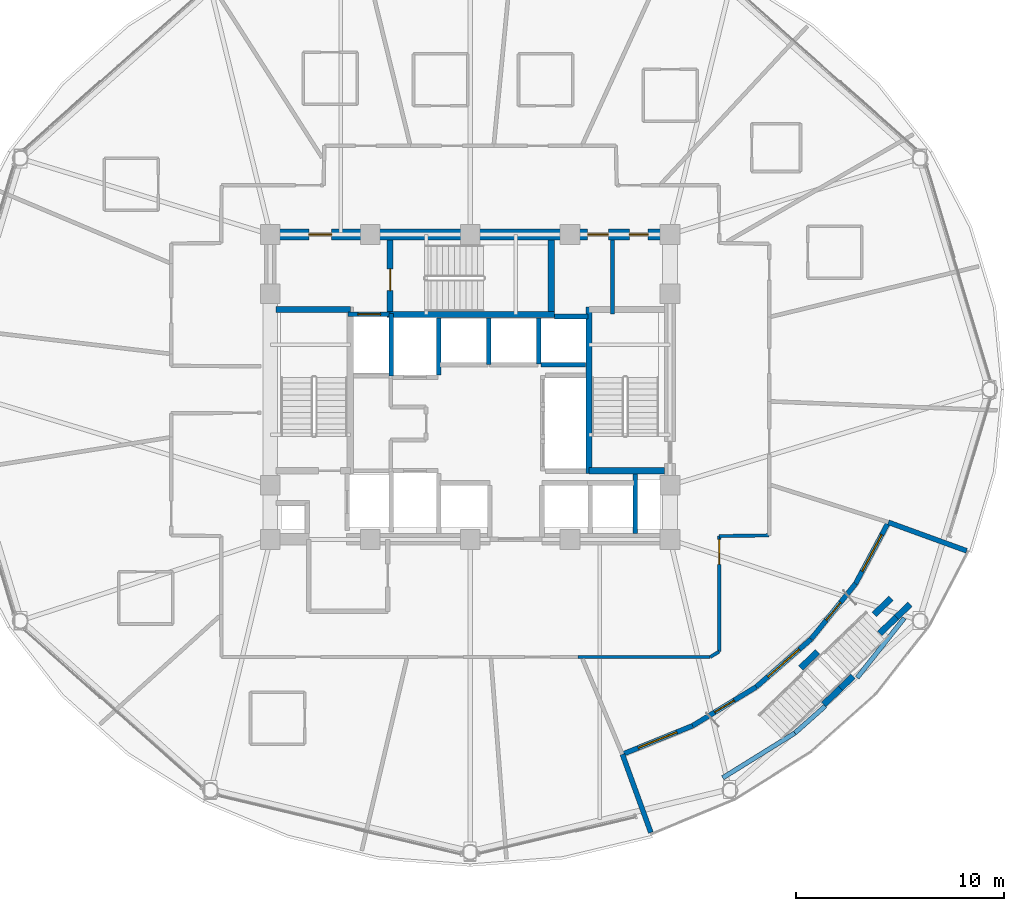
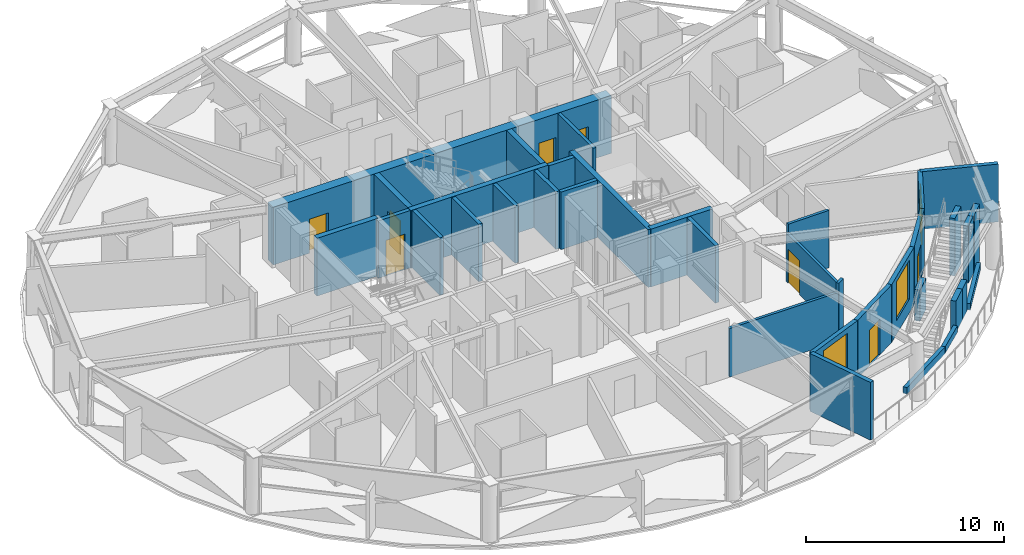
# One storey, part 12 of 18: 36 walls, 8 doors, 3 windows, 11 openings.
"""IFC4 building model written with IfcOpenShell, lengths in metres."""

from ifc_helpers import new_model, si_unit, direction, frame, frame_2d, origin, place, context, subcontext, project, spatial, rectangle, extrude, material, layer, layer_set, type_object, element, fill, save


model = new_model("IFC4")

# Units and contexts
model_context = context("Model", 3, precision=1e-05, world=origin(), true_north=direction((0.0, 1.0)))
body_context = subcontext(model_context, "Body", "Model", "MODEL_VIEW")
ifc_project = project(units=[si_unit("LENGTHUNIT", "METRE"), si_unit("AREAUNIT", "SQUARE_METRE"), si_unit("VOLUMEUNIT", "CUBIC_METRE"), si_unit("PLANEANGLEUNIT", "RADIAN"), si_unit("MASSUNIT", "GRAM", prefix="KILO")], contexts=[model_context])

# Site, building, storey
site_placement = place(None, origin())
site = spatial("IfcSite", under=ifc_project, at=site_placement, CompositionType="ELEMENT")
building_placement = place(site_placement, origin())
building = spatial("IfcBuilding", under=site, at=building_placement, Name="Vantalir Tower", CompositionType="ELEMENT")
storey_placement = place(building_placement, frame((0.0, 0.0, 138.449951171875)))
storey = spatial("IfcBuildingStorey", under=building, at=storey_placement, Name="L34", CompositionType="ELEMENT", Elevation=138.449951171875)

# Wall, openings, doors
ifc_material_1 = material(Name="Concrete C60/75", Category="concrete")
ifc_layer_1 = layer(ifc_material_1, 0.550048828125)
ifc_layer_set_1 = layer_set([ifc_layer_1], Name="Concrete C60/75")
wall_type_1 = type_object("IfcWallType", Name="WL-CORE-550", PredefinedType="SHEAR", material=ifc_layer_set_1)
wall_1_placement = place(storey_placement, frame((21.625, 32.449951171875, 0.0), z_axis=(0.0, 0.0, 1.0), x_axis=(1.0, 0.0, 0.0)))
wall_1 = element("IfcWall", 1, at=wall_1_placement, inside=storey, type_object=wall_type_1, Name="L34 Core Shear Wall North", PredefinedType="SHEAR", context=body_context, shape_type="SweptSolid", body=[
    extrude(rectangle(XDim=19.75, YDim=0.550048828125, at=frame_2d((9.875, 0.0))), origin(), (0.0, 0.0, 1.0), 3.570068359375),
])
opening_1_placement = place(wall_1_placement, frame((2.125, 0.0, 0.0)))
opening_1 = element("IfcOpeningElement", 2, at=opening_1_placement, cuts=wall_1, Name="Opening D-FFL", PredefinedType="OPENING", context=body_context, shape_type="SweptSolid", body=[
    extrude(rectangle(XDim=1.10009765625, YDim=2.10009765625, at=frame_2d((0.550048828125, 1.050048828125))), frame((0.0, 0.284912109375, 0.0), z_axis=(0.0, -1.0, 0.0), x_axis=(1.0, 0.0, 0.0)), (0.0, 0.0, 1.0), 0.570068359375),
])
opening_2_placement = place(wall_1_placement, frame((15.514892578125, 0.0, 0.0)))
opening_2 = element("IfcOpeningElement", 3, at=opening_2_placement, cuts=wall_1, Name="Opening D-GUEST", PredefinedType="OPENING", context=body_context, shape_type="SweptSolid", body=[
    extrude(rectangle(XDim=1.0, YDim=2.10009765625, at=frame_2d((0.5, 1.050048828125))), frame((0.0, 0.284912109375, 0.0), z_axis=(0.0, -1.0, 0.0), x_axis=(1.0, 0.0, 0.0)), (0.0, 0.0, 1.0), 0.570068359375),
])
opening_3_placement = place(wall_1_placement, frame((17.52490234375, 0.0, 0.0)))
opening_3 = element("IfcOpeningElement", 4, at=opening_3_placement, cuts=wall_1, Name="Opening D-CR", PredefinedType="OPENING", context=body_context, shape_type="SweptSolid", body=[
    extrude(rectangle(XDim=0.89990234375, YDim=2.10009765625, at=frame_2d((0.449951171875, 1.050048828125))), frame((0.0, 0.284912109375, 0.0), z_axis=(0.0, -1.0, 0.0), x_axis=(1.0, 0.0, 0.0)), (0.0, 0.0, 1.0), 0.570068359375),
])
ifc_material_2 = material(Name="Fire-rated steel core service door", Category="steel")
door_type_1 = type_object("IfcDoorType", Name="DR-CORE-SERV-900", OperationType="NOTDEFINED", PredefinedType="DOOR", material=ifc_material_2)
door_1_placement = place(opening_3_placement, frame((0.89990234375, 0.0, 0.0), z_axis=(0.0, 0.0, 1.0), x_axis=(-1.0, 0.0, 0.0)))
door_1 = element("IfcDoor", 5, at=door_1_placement, inside=storey, type_object=door_type_1, Name="L34 Housekeeping and Linen Room Door", OperationType="SINGLE_SWING_RIGHT", OverallHeight=2.10009765625, OverallWidth=0.89990234375, PredefinedType="DOOR", context=body_context, shape_type="SweptSolid", body=[
    extrude(rectangle(XDim=0.89990234375, YDim=2.10009765625, at=frame_2d((0.449951171875, 1.050048828125))), frame((0.0, 0.02490234375, 0.0), z_axis=(0.0, -1.0, 0.0), x_axis=(1.0, 0.0, 0.0)), (0.0, 0.0, 1.0), 0.050048828125),
])
fill(opening_3, door_1)
ifc_material_3 = material(Name="Fire-rated acoustic steel door", Category="steel")
door_type_2 = type_object("IfcDoorType", Name="DR-FIRE-LOBBY-1100", OperationType="NOTDEFINED", PredefinedType="DOOR", material=ifc_material_3)
door_2_placement = place(opening_1_placement, frame((1.10009765625, 0.0, 0.0), z_axis=(0.0, 0.0, 1.0), x_axis=(-1.0, 0.0, 0.0)))
door_2 = element("IfcDoor", 6, at=door_2_placement, inside=storey, type_object=door_type_2, Name="L34 Firefighting Lobby East Access Door", OperationType="SINGLE_SWING_RIGHT", OverallHeight=2.10009765625, OverallWidth=1.10009765625, PredefinedType="DOOR", context=body_context, shape_type="SweptSolid", body=[
    extrude(rectangle(XDim=1.10009765625, YDim=2.10009765625, at=frame_2d((0.550048828125, 1.050048828125))), frame((0.0, 0.02490234375, 0.0), z_axis=(0.0, -1.0, 0.0), x_axis=(1.0, 0.0, 0.0)), (0.0, 0.0, 1.0), 0.050048828125),
])
fill(opening_1, door_2)
ifc_material_4 = material(Name="Solid-core teak veneer acoustic fire door", Category="wood")
door_type_3 = type_object("IfcDoorType", Name="DR-GUEST-ENTRY-1000", OperationType="NOTDEFINED", PredefinedType="DOOR", material=ifc_material_4)
door_3_placement = place(opening_2_placement, frame((1.0, 0.0, 0.0), z_axis=(0.0, 0.0, 1.0), x_axis=(-1.0, 0.0, 0.0)))
door_3 = element("IfcDoor", 7, at=door_3_placement, inside=storey, type_object=door_type_3, Name="L34 High-Rise Lift Lobby Door", OperationType="SINGLE_SWING_LEFT", OverallHeight=2.10009765625, OverallWidth=1.0, PredefinedType="DOOR", context=body_context, shape_type="SweptSolid", body=[
    extrude(rectangle(XDim=1.0, YDim=2.10009765625, at=frame_2d((0.5, 1.050048828125))), frame((0.0, 0.02490234375, 0.0), z_axis=(0.0, -1.0, 0.0), x_axis=(1.0, 0.0, 0.0)), (0.0, 0.0, 1.0), 0.050048828125),
])
fill(opening_2, door_3)

# Wall
ifc_material_5 = material(Name="Fire-rated hotel corridor acoustic partition", Category="gypsum")
ifc_layer_2 = layer(ifc_material_5, 0.159912109375)
ifc_layer_set_2 = layer_set([ifc_layer_2], Name="Fire-rated hotel corridor acoustic partition")
wall_type_2 = type_object("IfcWallType", Name="WL-CORR-160", PredefinedType="PARTITIONING", material=ifc_layer_set_2)
wall_2_placement = place(storey_placement, frame((45.864990234375, 17.99609375, 0.0), z_axis=(0.0, 0.0, 1.0), x_axis=(-0.999886678433, -0.015054245006, 0.0)))
element("IfcWall", 8, at=wall_2_placement, inside=storey, type_object=wall_type_2, Name="L34 Corridor Partition 23", PredefinedType="PARTITIONING", context=body_context, shape_type="SweptSolid", body=[
    extrude(rectangle(XDim=2.400146484375, YDim=0.159912109375, at=frame_2d((1.2001953125, 0.0))), origin(), (0.0, 0.0, 1.0), 3.550048828125),
])

# Wall, opening, door
wall_3_placement = place(storey_placement, frame((43.465087890625, 17.9599609375, 0.0), z_axis=(0.0, 0.0, 1.0), x_axis=(-0.00092429538, -0.999999572839, 0.0)))
wall_3 = element("IfcWall", 9, at=wall_3_placement, inside=storey, type_object=wall_type_2, Name="L34 Corridor Partition 24", PredefinedType="PARTITIONING", context=body_context, shape_type="SweptSolid", body=[
    extrude(rectangle(XDim=5.546875, YDim=0.159912109375, at=frame_2d((2.7734375, 0.0))), origin(), (0.0, 0.0, 1.0), 3.006103515625),
])
opening_4_placement = place(wall_3_placement, frame((0.159912109375, 0.0, 0.0)))
opening_4 = element("IfcOpeningElement", 10, at=opening_4_placement, cuts=wall_3, Name="Opening D-STE", PredefinedType="OPENING", context=body_context, shape_type="SweptSolid", body=[
    extrude(rectangle(XDim=1.199951171875, YDim=2.10009765625, at=frame_2d((0.60009765625, 1.050048828125))), frame((0.0, 0.08984375, 0.0), z_axis=(0.0, -1.0, 0.0), x_axis=(1.0, 0.0, 0.0)), (0.0, 0.0, 1.0), 0.179931640625),
])
ifc_material_6 = material(Name="Solid-core teak veneer suite entrance door", Category="wood")
door_type_4 = type_object("IfcDoorType", Name="DR-SUITE-ENTRY-1200", OperationType="NOTDEFINED", PredefinedType="DOOR", material=ifc_material_6)
door_4_placement = place(opening_4_placement, origin())
door_4 = element("IfcDoor", 11, at=door_4_placement, inside=storey, type_object=door_type_4, Name="L34 Sky Garden Conservatory Lounge 14 Door", OperationType="SINGLE_SWING_LEFT", OverallHeight=2.10009765625, OverallWidth=1.199951171875, PredefinedType="DOOR", context=body_context, shape_type="SweptSolid", body=[
    extrude(rectangle(XDim=1.199951171875, YDim=2.10009765625, at=frame_2d((0.60009765625, 1.050048828125))), frame((0.0, 0.02490234375, 0.0), z_axis=(0.0, -1.0, 0.0), x_axis=(1.0, 0.0, 0.0)), (0.0, 0.0, 1.0), 0.050048828125),
])
fill(opening_4, door_4)

# Walls
wall_4_placement = place(storey_placement, frame((43.4599609375, 12.4130859375, 0.0), z_axis=(0.0, 0.0, 1.0), x_axis=(-0.85393744452, -0.520375672805, 0.0)))
element("IfcWall", 12, at=wall_4_placement, inside=storey, type_object=wall_type_2, Name="L34 Corridor Partition 25", PredefinedType="PARTITIONING", context=body_context, shape_type="SweptSolid", body=[
    extrude(rectangle(XDim=0.505859375, YDim=0.159912109375, at=frame_2d((0.2529296875, 0.0))), origin(), (0.0, 0.0, 1.0), 3.550048828125),
])
wall_5_placement = place(storey_placement, frame((43.028076171875, 12.14990234375, 0.0), z_axis=(0.0, 0.0, 1.0), x_axis=(-0.999999940245, 0.000345701754, 0.0)))
element("IfcWall", 13, at=wall_5_placement, inside=storey, type_object=wall_type_2, Name="L34 Corridor Partition 26", PredefinedType="PARTITIONING", context=body_context, shape_type="SweptSolid", body=[
    extrude(rectangle(XDim=6.35595703125, YDim=0.159912109375, at=frame_2d((3.177978515625, 0.0))), origin(), (0.0, 0.0, 1.0), 3.006103515625),
])
ifc_material_7 = material(Name="Precast concrete C40/50 insulated sky-garden wall", Category="concrete")
ifc_layer_3 = layer(ifc_material_7, 0.239990234375)
ifc_layer_set_3 = layer_set([ifc_layer_3], Name="Precast concrete C40/50 insulated sky-garden wall")
wall_type_3 = type_object("IfcWallType", Name="WL-EXT-SG-240", PredefinedType="SOLIDWALL", material=ifc_layer_set_3)
wall_6_placement = place(storey_placement, frame((40.179931640625, 3.720947265625, 0.0), z_axis=(0.0, 0.0, 1.0), x_axis=(-0.342042038651, 0.93968465125, 0.0)))
element("IfcWall", 14, at=wall_6_placement, inside=storey, type_object=wall_type_3, Name="L34 SG2 Sky-Garden Return Wall A", PredefinedType="SOLIDWALL", context=body_context, shape_type="SweptSolid", body=[
    extrude(rectangle(XDim=3.999267578125, YDim=0.239990234375, at=frame_2d((1.99951171875, 0.0))), origin(), (0.0, 0.0, 1.0), 3.570068359375),
])
wall_7_placement = place(storey_placement, frame((51.590087890625, 18.623046875, 0.0), z_axis=(0.0, 0.0, 1.0), x_axis=(0.93965788446, -0.342115565522, 0.0)))
element("IfcWall", 15, at=wall_7_placement, inside=storey, type_object=wall_type_3, Name="L34 SG2 Sky-Garden Return Wall B", PredefinedType="SOLIDWALL", context=body_context, shape_type="SweptSolid", body=[
    extrude(rectangle(XDim=3.9990234375, YDim=0.239990234375, at=frame_2d((1.99951171875, 0.0))), origin(), (0.0, 0.0, 1.0), 3.570068359375),
])

# Wall, opening, window
wall_8_placement = place(storey_placement, frame((38.81201171875, 7.47900390625, 0.0), z_axis=(0.0, 0.0, 1.0), x_axis=(0.926300153453, 0.376786445767, 0.0)))
wall_8 = element("IfcWall", 16, at=wall_8_placement, inside=storey, type_object=wall_type_3, Name="L34 SG2 Sky-Garden Lounge Wall 1", PredefinedType="SOLIDWALL", context=body_context, shape_type="SweptSolid", body=[
    extrude(rectangle(XDim=3.646728515625, YDim=0.239990234375, at=frame_2d((1.8232421875, 0.0))), origin(), (0.0, 0.0, 1.0), 3.570068359375),
])
opening_5_placement = place(wall_8_placement, frame((0.822998046875, 0.0, 0.85009765625)))
opening_5 = element("IfcOpeningElement", 17, at=opening_5_placement, cuts=wall_8, Name="Opening WN-3", PredefinedType="OPENING", context=body_context, shape_type="SweptSolid", body=[
    extrude(rectangle(XDim=2.0, YDim=2.39990234375, at=frame_2d((1.0, 1.199951171875))), frame((0.0, 0.1298828125, 0.0), z_axis=(0.0, -1.0, 0.0), x_axis=(1.0, 0.0, 0.0)), (0.0, 0.0, 1.0), 0.260009765625),
])
ifc_material_8 = material(Name="Double-silver Low-E sky-garden lounge window", Category="glass")
window_type = type_object("IfcWindowType", Name="WIN-SG-2000x2400", PartitioningType="SINGLE_PANEL", PredefinedType="WINDOW", material=ifc_material_8)
window_1_placement = place(opening_5_placement, origin())
window_1 = element("IfcWindow", 18, at=window_1_placement, inside=storey, type_object=window_type, Name="L34 SG2 Sky-Garden Window 1", OverallHeight=2.39990234375, OverallWidth=2.0, PartitioningType="SINGLE_PANEL", PredefinedType="WINDOW", context=body_context, shape_type="SweptSolid", body=[
    extrude(rectangle(XDim=2.0, YDim=2.39990234375, at=frame_2d((1.0, 1.199951171875))), frame((0.0, 0.030029296875, 0.0), z_axis=(0.0, -1.0, 0.0), x_axis=(1.0, 0.0, 0.0)), (0.0, 0.0, 1.0), 0.06005859375),
])
fill(opening_5, window_1)

# Wall, opening, door
wall_9_placement = place(storey_placement, frame((42.18994140625, 8.85302734375, 0.0), z_axis=(0.0, 0.0, 1.0), x_axis=(0.853418493783, 0.521226317897, 0.0)))
wall_9 = element("IfcWall", 19, at=wall_9_placement, inside=storey, type_object=wall_type_3, Name="L34 SG2 Sky-Garden Lounge Wall 2", PredefinedType="SOLIDWALL", context=body_context, shape_type="SweptSolid", body=[
    extrude(rectangle(XDim=3.576171875, YDim=0.239990234375, at=frame_2d((1.7880859375, 0.0))), origin(), (0.0, 0.0, 1.0), 3.570068359375),
])
opening_6_placement = place(wall_9_placement, frame((1.238037109375, 0.0, 0.0)))
opening_6 = element("IfcOpeningElement", 20, at=opening_6_placement, cuts=wall_9, Name="Opening D-TR", PredefinedType="OPENING", context=body_context, shape_type="SweptSolid", body=[
    extrude(rectangle(XDim=1.10009765625, YDim=2.199951171875, at=frame_2d((0.550048828125, 1.10009765625))), frame((0.0, 0.1298828125, 0.0), z_axis=(0.0, -1.0, 0.0), x_axis=(1.0, 0.0, 0.0)), (0.0, 0.0, 1.0), 0.260009765625),
])
ifc_material_9 = material(Name="Thermally broken Low-E glazed terrace door", Category="steel")
door_type_5 = type_object("IfcDoorType", Name="DR-EXT-TERR-1100", OperationType="NOTDEFINED", PredefinedType="DOOR", material=ifc_material_9)
door_5_placement = place(opening_6_placement, frame((1.10009765625, 0.0, 0.0), z_axis=(0.0, 0.0, 1.0), x_axis=(-1.0, 0.0, 0.0)))
door_5 = element("IfcDoor", 21, at=door_5_placement, inside=storey, type_object=door_type_5, Name="L34 SG2 Sky-Garden Terrace Door 1", OperationType="SINGLE_SWING_LEFT", OverallHeight=2.199951171875, OverallWidth=1.10009765625, PredefinedType="DOOR", context=body_context, shape_type="SweptSolid", body=[
    extrude(rectangle(XDim=1.10009765625, YDim=2.199951171875, at=frame_2d((0.550048828125, 1.10009765625))), frame((0.0, 0.02490234375, 0.0), z_axis=(0.0, -1.0, 0.0), x_axis=(1.0, 0.0, 0.0)), (0.0, 0.0, 1.0), 0.050048828125),
])
fill(opening_6, door_5)

# Wall, opening, window
wall_10_placement = place(storey_placement, frame((45.241943359375, 10.717041015625, 0.0), z_axis=(0.0, 0.0, 1.0), x_axis=(0.753678710802, 0.657243030304, 0.0)))
wall_10 = element("IfcWall", 22, at=wall_10_placement, inside=storey, type_object=wall_type_3, Name="L34 SG2 Sky-Garden Lounge Wall 3", PredefinedType="SOLIDWALL", context=body_context, shape_type="SweptSolid", body=[
    extrude(rectangle(XDim=3.49609375, YDim=0.239990234375, at=frame_2d((1.748046875, 0.0))), origin(), (0.0, 0.0, 1.0), 3.570068359375),
])
opening_7_placement = place(wall_10_placement, frame((0.748046875, 0.0, 0.85009765625)))
opening_7 = element("IfcOpeningElement", 23, at=opening_7_placement, cuts=wall_10, Name="Opening WN-3", PredefinedType="OPENING", context=body_context, shape_type="SweptSolid", body=[
    extrude(rectangle(XDim=2.0, YDim=2.39990234375, at=frame_2d((1.0, 1.199951171875))), frame((0.0, 0.1298828125, 0.0), z_axis=(0.0, -1.0, 0.0), x_axis=(1.0, 0.0, 0.0)), (0.0, 0.0, 1.0), 0.260009765625),
])
window_2_placement = place(opening_7_placement, origin())
window_2 = element("IfcWindow", 24, at=window_2_placement, inside=storey, type_object=window_type, Name="L34 SG2 Sky-Garden Window 3", OverallHeight=2.39990234375, OverallWidth=2.0, PartitioningType="SINGLE_PANEL", PredefinedType="WINDOW", context=body_context, shape_type="SweptSolid", body=[
    extrude(rectangle(XDim=2.0, YDim=2.39990234375, at=frame_2d((1.0, 1.199951171875))), frame((0.0, 0.030029296875, 0.0), z_axis=(0.0, -1.0, 0.0), x_axis=(1.0, 0.0, 0.0)), (0.0, 0.0, 1.0), 0.06005859375),
])
fill(opening_7, window_2)

# Wall, opening, door
wall_11_placement = place(storey_placement, frame((47.876953125, 13.014892578125, 0.0), z_axis=(0.0, 0.0, 1.0), x_axis=(0.626167631777, 0.779688461448, 0.0)))
wall_11 = element("IfcWall", 25, at=wall_11_placement, inside=storey, type_object=wall_type_3, Name="L34 SG2 Sky-Garden Lounge Wall 4", PredefinedType="SOLIDWALL", context=body_context, shape_type="SweptSolid", body=[
    extrude(rectangle(XDim=3.414306640625, YDim=0.239990234375, at=frame_2d((1.70703125, 0.0))), origin(), (0.0, 0.0, 1.0), 3.570068359375),
])
opening_8_placement = place(wall_11_placement, frame((1.156982421875, 0.0, 0.0)))
opening_8 = element("IfcOpeningElement", 26, at=opening_8_placement, cuts=wall_11, Name="Opening D-TR", PredefinedType="OPENING", context=body_context, shape_type="SweptSolid", body=[
    extrude(rectangle(XDim=1.10009765625, YDim=2.199951171875, at=frame_2d((0.550048828125, 1.10009765625))), frame((0.0, 0.1298828125, 0.0), z_axis=(0.0, -1.0, 0.0), x_axis=(1.0, 0.0, 0.0)), (0.0, 0.0, 1.0), 0.260009765625),
])
door_6_placement = place(opening_8_placement, frame((1.10009765625, 0.0, 0.0), z_axis=(0.0, 0.0, 1.0), x_axis=(-1.0, 0.0, 0.0)))
door_6 = element("IfcDoor", 27, at=door_6_placement, inside=storey, type_object=door_type_5, Name="L34 SG2 Sky-Garden Terrace Door 3", OperationType="SINGLE_SWING_RIGHT", OverallHeight=2.199951171875, OverallWidth=1.10009765625, PredefinedType="DOOR", context=body_context, shape_type="SweptSolid", body=[
    extrude(rectangle(XDim=1.10009765625, YDim=2.199951171875, at=frame_2d((0.550048828125, 1.10009765625))), frame((0.0, 0.02490234375, 0.0), z_axis=(0.0, -1.0, 0.0), x_axis=(1.0, 0.0, 0.0)), (0.0, 0.0, 1.0), 0.050048828125),
])
fill(opening_8, door_6)

# Wall, opening, window
wall_12_placement = place(storey_placement, frame((50.014892578125, 15.677001953125, 0.0), z_axis=(0.0, 0.0, 1.0), x_axis=(0.471513490448, 0.8818588483, 0.0)))
wall_12 = element("IfcWall", 28, at=wall_12_placement, inside=storey, type_object=wall_type_3, Name="L34 SG2 Sky-Garden Lounge Wall 5", PredefinedType="SOLIDWALL", context=body_context, shape_type="SweptSolid", body=[
    extrude(rectangle(XDim=3.3408203125, YDim=0.239990234375, at=frame_2d((1.67041015625, 0.0))), origin(), (0.0, 0.0, 1.0), 3.570068359375),
])
opening_9_placement = place(wall_12_placement, frame((0.669921875, 0.0, 0.85009765625)))
opening_9 = element("IfcOpeningElement", 29, at=opening_9_placement, cuts=wall_12, Name="Opening WN-3", PredefinedType="OPENING", context=body_context, shape_type="SweptSolid", body=[
    extrude(rectangle(XDim=2.0, YDim=2.39990234375, at=frame_2d((1.0, 1.199951171875))), frame((0.0, 0.1298828125, 0.0), z_axis=(0.0, -1.0, 0.0), x_axis=(1.0, 0.0, 0.0)), (0.0, 0.0, 1.0), 0.260009765625),
])
window_3_placement = place(opening_9_placement, origin())
window_3 = element("IfcWindow", 30, at=window_3_placement, inside=storey, type_object=window_type, Name="L34 SG2 Sky-Garden Window 5", OverallHeight=2.39990234375, OverallWidth=2.0, PartitioningType="SINGLE_PANEL", PredefinedType="WINDOW", context=body_context, shape_type="SweptSolid", body=[
    extrude(rectangle(XDim=2.0, YDim=2.39990234375, at=frame_2d((1.0, 1.199951171875))), frame((0.0, 0.030029296875, 0.0), z_axis=(0.0, -1.0, 0.0), x_axis=(1.0, 0.0, 0.0)), (0.0, 0.0, 1.0), 0.06005859375),
])
fill(opening_9, window_3)

# Walls
ifc_material_10 = material(Name="Concrete blockwork with fireboard lining", Category="masonry")
ifc_layer_4 = layer(ifc_material_10, 0.219970703125)
ifc_layer_set_4 = layer_set([ifc_layer_4], Name="Concrete blockwork with fireboard lining")
wall_type_4 = type_object("IfcWallType", Name="WL-FFL-220", PredefinedType="PARTITIONING", material=ifc_layer_set_4)
wall_13_placement = place(storey_placement, frame((30.0, 25.7099609375, 0.0), z_axis=(0.0, 0.0, 1.0), x_axis=(0.0, 1.0, 0.0)))
element("IfcWall", 31, at=wall_13_placement, inside=storey, type_object=wall_type_4, Name="L34 Service Lift SV2 East Shaft Wall", PredefinedType="PARTITIONING", context=body_context, shape_type="SweptSolid", body=[
    extrude(rectangle(XDim=2.72998046875, YDim=0.219970703125, at=frame_2d((1.364990234375, 0.0))), origin(), (0.0, 0.0, 1.0), 3.545166015625),
])
wall_14_placement = place(storey_placement, frame((32.39990234375, 26.199951171875, 0.0), z_axis=(0.0, 0.0, 1.0), x_axis=(0.0, 1.0, 0.0)))
element("IfcWall", 32, at=wall_14_placement, inside=storey, type_object=wall_type_4, Name="L34 High-Rise Lift PL-H1/H2 Shaft Divider", PredefinedType="PARTITIONING", context=body_context, shape_type="SweptSolid", body=[
    extrude(rectangle(XDim=2.239990234375, YDim=0.219970703125, at=frame_2d((1.1201171875, 0.0))), origin(), (0.0, 0.0, 1.0), 3.545166015625),
])
wall_15_placement = place(storey_placement, frame((34.800048828125, 26.22998046875, 0.0), z_axis=(0.0, 0.0, 1.0), x_axis=(0.0, 1.0, 0.0)))
element("IfcWall", 33, at=wall_15_placement, inside=storey, type_object=wall_type_4, Name="L34 High-Rise Lift PL-H2/H3 Shaft Divider", PredefinedType="PARTITIONING", context=body_context, shape_type="SweptSolid", body=[
    extrude(rectangle(XDim=2.2099609375, YDim=0.219970703125, at=frame_2d((1.10498046875, 0.0))), origin(), (0.0, 0.0, 1.0), 3.545166015625),
])
wall_16_placement = place(storey_placement, frame((34.909912109375, 26.18994140625, 0.0), z_axis=(0.0, 0.0, 1.0), x_axis=(1.0, 0.0, 0.0)))
element("IfcWall", 34, at=wall_16_placement, inside=storey, type_object=wall_type_4, Name="L34 High-Rise Lift PL-H3 Rear Shaft Wall", PredefinedType="PARTITIONING", context=body_context, shape_type="SweptSolid", body=[
    extrude(rectangle(XDim=2.14013671875, YDim=0.219970703125, at=frame_2d((1.070068359375, 0.0))), origin(), (0.0, 0.0, 1.0), 3.545166015625),
])
wall_17_placement = place(storey_placement, frame((39.419921875, 18.074951171875, 0.0), z_axis=(0.0, 0.0, 1.0), x_axis=(0.0, 1.0, 0.0)))
element("IfcWall", 35, at=wall_17_placement, inside=storey, type_object=wall_type_4, Name="L34 East MEP Riser Wall W", PredefinedType="PARTITIONING", context=body_context, shape_type="SweptSolid", body=[
    extrude(rectangle(XDim=2.875, YDim=0.219970703125, at=frame_2d((1.4375, 0.0))), origin(), (0.0, 0.0, 1.0), 3.550048828125),
])

# Wall, opening, door
wall_18_placement = place(storey_placement, frame((25.639892578125, 28.610107421875, 0.0), z_axis=(0.0, 0.0, 1.0), x_axis=(1.0, 0.0, 0.0)))
wall_18 = element("IfcWall", 36, at=wall_18_placement, inside=storey, type_object=wall_type_4, Name="L34 Lift FL2 Shaft Front Wall", PredefinedType="PARTITIONING", context=body_context, shape_type="SweptSolid", body=[
    extrude(rectangle(XDim=2.02001953125, YDim=0.219970703125, at=frame_2d((1.010009765625, 0.0))), origin(), (0.0, 0.0, 1.0), 3.550048828125),
])
opening_10_placement = place(wall_18_placement, frame((0.4599609375, 0.0, 0.0)))
opening_10 = element("IfcOpeningElement", 37, at=opening_10_placement, cuts=wall_18, Name="Opening LD-FL2", PredefinedType="OPENING", context=body_context, shape_type="SweptSolid", body=[
    extrude(rectangle(XDim=1.10009765625, YDim=2.199951171875, at=frame_2d((0.550048828125, 1.10009765625))), frame((0.0, 0.119873046875, 0.0), z_axis=(0.0, -1.0, 0.0), x_axis=(1.0, 0.0, 0.0)), (0.0, 0.0, 1.0), 0.239990234375),
])
ifc_material_11 = material(Name="Brushed stainless-steel sliding lift landing door", Category="steel")
door_type_6 = type_object("IfcDoorType", Name="DR-LIFT-LANDING-1100", OperationType="DOUBLE_DOOR_SLIDING", PredefinedType="DOOR", material=ifc_material_11)
door_7_placement = place(opening_10_placement, origin())
door_7 = element("IfcDoor", 38, at=door_7_placement, inside=storey, type_object=door_type_6, Name="L34 Lift Landing Door FL2", OperationType="DOUBLE_DOOR_SLIDING", OverallHeight=2.199951171875, OverallWidth=1.10009765625, PredefinedType="DOOR", context=body_context, shape_type="SweptSolid", body=[
    extrude(rectangle(XDim=1.10009765625, YDim=2.199951171875, at=frame_2d((0.550048828125, 1.10009765625))), frame((0.0, 0.02490234375, 0.0), z_axis=(0.0, -1.0, 0.0), x_axis=(1.0, 0.0, 0.0)), (0.0, 0.0, 1.0), 0.050048828125),
])
fill(opening_10, door_7)

# Walls
wall_19_placement = place(storey_placement, frame((35.56005859375, 28.510009765625, 0.0), z_axis=(0.0, 0.0, 1.0), x_axis=(1.0, 0.0, 0.0)))
element("IfcWall", 39, at=wall_19_placement, inside=storey, type_object=wall_type_4, Name="L34 Lift PL-H3 Shaft Front Wall", PredefinedType="PARTITIONING", context=body_context, shape_type="SweptSolid", body=[
    extrude(rectangle(XDim=1.599853515625, YDim=0.219970703125, at=frame_2d((0.7998046875, 0.0))), origin(), (0.0, 0.0, 1.0), 3.550048828125),
])
wall_20_placement = place(storey_placement, frame((27.699951171875, 25.64990234375, 0.0), z_axis=(0.0, 0.0, 1.0), x_axis=(0.0, 1.0, 0.0)))
element("IfcWall", 40, at=wall_20_placement, inside=storey, type_object=wall_type_4, Name="L34 Fire Lift FL2 Dividing Wall", PredefinedType="PARTITIONING", context=body_context, shape_type="SweptSolid", body=[
    extrude(rectangle(XDim=3.0, YDim=0.219970703125, at=frame_2d((1.5, 0.0))), origin(), (0.0, 0.0, 1.0), 3.550048828125),
])
ifc_material_12 = material(Name="Twin-stud acoustic fire-rated gypsum partition", Category="gypsum")
ifc_layer_5 = layer(ifc_material_12, 0.179931640625)
ifc_layer_set_5 = layer_set([ifc_layer_5], Name="Twin-stud acoustic fire-rated gypsum partition")
wall_type_5 = type_object("IfcWallType", Name="WL-GUEST-180", PredefinedType="PARTITIONING", material=ifc_layer_set_5)
wall_21_placement = place(storey_placement, frame((38.340087890625, 28.6201171875, 0.0), z_axis=(0.0, 0.0, 1.0), x_axis=(0.0, 1.0, 0.0)))
element("IfcWall", 41, at=wall_21_placement, inside=storey, type_object=wall_type_5, Name="L34 High-Rise Lift Lobby East Wall", PredefinedType="PARTITIONING", context=body_context, shape_type="SweptSolid", body=[
    extrude(rectangle(XDim=3.554931640625, YDim=0.179931640625, at=frame_2d((1.77734375, 0.0))), origin(), (0.0, 0.0, 1.0), 3.550048828125),
])
ifc_material_13 = material(Name="Concrete C40/50 sky-garden PLANTER kerb", Category="concrete")
ifc_layer_6 = layer(ifc_material_13, 0.219970703125)
ifc_layer_set_6 = layer_set([ifc_layer_6], Name="Concrete C40/50 sky-garden PLANTER kerb")
wall_type_6 = type_object("IfcWallType", Name="WL-PLANTER-220", PredefinedType="PARAPET", material=ifc_layer_set_6)
wall_22_placement = place(storey_placement, frame((43.635009765625, 6.35009765625, 0.0), z_axis=(0.0, 0.0, 1.0), x_axis=(0.84941076593, 0.527732271822, 0.0)))
element("IfcWall", 42, at=wall_22_placement, inside=storey, type_object=wall_type_6, Name="L34 SG2 Tropical Sky-Garden PLANTER Bed 1", PredefinedType="PARAPET", context=body_context, shape_type="SweptSolid", body=[
    extrude(rectangle(XDim=4.079345703125, YDim=0.219970703125, at=frame_2d((2.03955078125, 0.0))), origin(), (0.0, 0.0, 1.0), 0.420166015625),
])
wall_23_placement = place(storey_placement, frame((47.10009765625, 8.5029296875, 0.0), z_axis=(0.0, 0.0, 1.0), x_axis=(0.74793502259, 0.663771950284, 0.0)))
element("IfcWall", 43, at=wall_23_placement, inside=storey, type_object=wall_type_6, Name="L34 SG2 Tropical Sky-Garden PLANTER Bed 2", PredefinedType="PARAPET", context=body_context, shape_type="SweptSolid", body=[
    extrude(rectangle(XDim=1.946533203125, YDim=0.219970703125, at=frame_2d((0.97314453125, 0.0))), origin(), (0.0, 0.0, 1.0), 0.420166015625),
])
wall_24_placement = place(storey_placement, frame((50.091064453125, 11.157958984375, 0.0), z_axis=(0.0, 0.0, 1.0), x_axis=(0.619665973781, 0.784865645151, 0.0)))
element("IfcWall", 44, at=wall_24_placement, inside=storey, type_object=wall_type_6, Name="L34 SG2 Tropical Sky-Garden PLANTER Bed 3", PredefinedType="PARAPET", context=body_context, shape_type="SweptSolid", body=[
    extrude(rectangle(XDim=3.650390625, YDim=0.219970703125, at=frame_2d((1.8251953125, 0.0))), origin(), (0.0, 0.0, 1.0), 0.420166015625),
])
ifc_material_14 = material(Name="Concrete C50/60", Category="concrete")
ifc_layer_7 = layer(ifc_material_14, 0.300048828125)
ifc_layer_set_7 = layer_set([ifc_layer_7], Name="Concrete C50/60")
wall_type_7 = type_object("IfcWallType", Name="WL-STAIR-300", PredefinedType="SHEAR", material=ifc_layer_set_7)
wall_25_placement = place(storey_placement, frame((22.175048828125, 28.85009765625, 0.0), z_axis=(0.0, 0.0, 1.0), x_axis=(1.0, 0.0, 0.0)))
element("IfcWall", 45, at=wall_25_placement, inside=storey, type_object=wall_type_7, Name="L34 Stair ST1 North Wall", PredefinedType="SHEAR", context=body_context, shape_type="SweptSolid", body=[
    extrude(rectangle(XDim=3.56494140625, YDim=0.300048828125, at=frame_2d((1.782470703125, 0.0))), origin(), (0.0, 0.0, 1.0), 3.570068359375),
])
wall_26_placement = place(storey_placement, frame((37.2099609375, 21.10009765625, 0.0), z_axis=(0.0, 0.0, 1.0), x_axis=(1.0, 0.0, 0.0)))
element("IfcWall", 46, at=wall_26_placement, inside=storey, type_object=wall_type_7, Name="L34 Stair ST2 South Wall", PredefinedType="SHEAR", context=body_context, shape_type="SweptSolid", body=[
    extrude(rectangle(XDim=3.614990234375, YDim=0.300048828125, at=frame_2d((1.8076171875, 0.0))), origin(), (0.0, 0.0, 1.0), 3.570068359375),
])
wall_27_placement = place(storey_placement, frame((37.2099609375, 20.97998046875, 0.0), z_axis=(0.0, 0.0, 1.0), x_axis=(0.0, 1.0, 0.0)))
element("IfcWall", 47, at=wall_27_placement, inside=storey, type_object=wall_type_7, Name="L34 Stair ST2 West Wall", PredefinedType="SHEAR", context=body_context, shape_type="SweptSolid", body=[
    extrude(rectangle(XDim=7.989990234375, YDim=0.300048828125, at=frame_2d((3.9951171875, 0.0))), origin(), (0.0, 0.0, 1.0), 3.570068359375),
])
wall_28_placement = place(storey_placement, frame((27.510009765625, 28.60009765625, 0.0), z_axis=(0.0, 0.0, 1.0), x_axis=(1.0, 0.0, 0.0)))
element("IfcWall", 48, at=wall_28_placement, inside=storey, type_object=wall_type_7, Name="L34 Stair ST3 South Wall", PredefinedType="SHEAR", context=body_context, shape_type="SweptSolid", body=[
    extrude(rectangle(XDim=8.030029296875, YDim=0.300048828125, at=frame_2d((4.01513671875, 0.0))), origin(), (0.0, 0.0, 1.0), 3.570068359375),
])

# Wall, opening, door
wall_29_placement = place(storey_placement, frame((27.64990234375, 28.75, 0.0), z_axis=(0.0, 0.0, 1.0), x_axis=(0.0, 1.0, 0.0)))
wall_29 = element("IfcWall", 49, at=wall_29_placement, inside=storey, type_object=wall_type_7, Name="L34 Stair ST3 West Wall", PredefinedType="SHEAR", context=body_context, shape_type="SweptSolid", body=[
    extrude(rectangle(XDim=3.425048828125, YDim=0.300048828125, at=frame_2d((1.71240234375, 0.0))), origin(), (0.0, 0.0, 1.0), 3.570068359375),
])
opening_11_placement = place(wall_29_placement, frame((1.0, 0.0, 0.0)))
opening_11 = element("IfcOpeningElement", 50, at=opening_11_placement, cuts=wall_29, Name="Opening D-ST", PredefinedType="OPENING", context=body_context, shape_type="SweptSolid", body=[
    extrude(rectangle(XDim=1.050048828125, YDim=2.10009765625, at=frame_2d((0.52490234375, 1.050048828125))), frame((0.0, 0.159912109375, 0.0), z_axis=(0.0, -1.0, 0.0), x_axis=(1.0, 0.0, 0.0)), (0.0, 0.0, 1.0), 0.320068359375),
])
ifc_material_15 = material(Name="Fire-rated steel door leaf", Category="steel")
door_type_7 = type_object("IfcDoorType", Name="DR-FIRE-STAIR-1050", OperationType="NOTDEFINED", PredefinedType="DOOR", material=ifc_material_15)
door_8_placement = place(opening_11_placement, frame((1.050048828125, 0.0, 0.0), z_axis=(0.0, 0.0, 1.0), x_axis=(-1.0, 0.0, 0.0)))
door_8 = element("IfcDoor", 51, at=door_8_placement, inside=storey, type_object=door_type_7, Name="L34 Exit Stair ST3 Fire Door", OperationType="SINGLE_SWING_LEFT", OverallHeight=2.10009765625, OverallWidth=1.050048828125, PredefinedType="DOOR", context=body_context, shape_type="SweptSolid", body=[
    extrude(rectangle(XDim=1.050048828125, YDim=2.10009765625, at=frame_2d((0.52490234375, 1.050048828125))), frame((0.0, 0.02490234375, 0.0), z_axis=(0.0, -1.0, 0.0), x_axis=(1.0, 0.0, 0.0)), (0.0, 0.0, 1.0), 0.050048828125),
])
fill(opening_11, door_8)

# Walls
wall_30_placement = place(storey_placement, frame((35.39990234375, 28.75, 0.0), z_axis=(0.0, 0.0, 1.0), x_axis=(0.0, 1.0, 0.0)))
element("IfcWall", 52, at=wall_30_placement, inside=storey, type_object=wall_type_7, Name="L34 Stair ST3 East Wall", PredefinedType="SHEAR", context=body_context, shape_type="SweptSolid", body=[
    extrude(rectangle(XDim=3.425048828125, YDim=0.300048828125, at=frame_2d((1.71240234375, 0.0))), origin(), (0.0, 0.0, 1.0), 3.570068359375),
])
wall_31_placement = place(storey_placement, frame((48.48291015625, 9.87109375, 0.0), z_axis=(0.0, 0.0, 1.0), x_axis=(0.720908393999, 0.693030365469, 0.0)))
element("IfcWall", 53, at=wall_31_placement, inside=storey, type_object=wall_type_7, Name="L34 Sky Garden Stair SG2 Support Pier M1", PredefinedType="SHEAR", context=body_context, shape_type="SweptSolid", body=[
    extrude(rectangle(XDim=1.120849609375, YDim=0.300048828125, at=frame_2d((0.560546875, 0.0))), origin(), (0.0, 0.0, 1.0), 1.920166015625),
])
wall_32_placement = place(storey_placement, frame((49.089111328125, 10.4541015625, 0.0), z_axis=(0.0, 0.0, 1.0), x_axis=(0.720820491763, 0.693121792079, 0.0)))
element("IfcWall", 54, at=wall_32_placement, inside=storey, type_object=wall_type_7, Name="L34 Sky Garden Stair SG2 Support Pier M2", PredefinedType="SHEAR", context=body_context, shape_type="SweptSolid", body=[
    extrude(rectangle(XDim=1.119384765625, YDim=0.300048828125, at=frame_2d((0.5595703125, 0.0))), origin(), (0.0, 0.0, 1.0), 1.920166015625),
])
wall_33_placement = place(storey_placement, frame((47.37890625, 11.625, 0.0), z_axis=(0.0, 0.0, 1.0), x_axis=(0.720380695727, 0.693578873109, 0.0)))
element("IfcWall", 55, at=wall_33_placement, inside=storey, type_object=wall_type_7, Name="L34 Sky Garden Stair SG2 Support Pier M3", PredefinedType="SHEAR", context=body_context, shape_type="SweptSolid", body=[
    extrude(rectangle(XDim=1.120361328125, YDim=0.300048828125, at=frame_2d((0.56005859375, 0.0))), origin(), (0.0, 0.0, 1.0), 1.920166015625),
])
wall_34_placement = place(storey_placement, frame((51.169921875, 13.281005859375, 0.0), z_axis=(0.0, 0.0, 1.0), x_axis=(0.720925246183, 0.693012834958, 0.0)))
element("IfcWall", 56, at=wall_34_placement, inside=storey, type_object=wall_type_7, Name="L34 Sky Garden Stair SG2 Support Pier T1", PredefinedType="SHEAR", context=body_context, shape_type="SweptSolid", body=[
    extrude(rectangle(XDim=1.11962890625, YDim=0.300048828125, at=frame_2d((0.559814453125, 0.0))), origin(), (0.0, 0.0, 1.0), 3.550048828125),
])
wall_35_placement = place(storey_placement, frame((51.819091796875, 13.905029296875, 0.0), z_axis=(0.0, 0.0, 1.0), x_axis=(0.720820491763, 0.693121792079, 0.0)))
element("IfcWall", 57, at=wall_35_placement, inside=storey, type_object=wall_type_7, Name="L34 Sky Garden Stair SG2 Support Pier T2", PredefinedType="SHEAR", context=body_context, shape_type="SweptSolid", body=[
    extrude(rectangle(XDim=1.119384765625, YDim=0.300048828125, at=frame_2d((0.5595703125, 0.0))), origin(), (0.0, 0.0, 1.0), 3.550048828125),
])
wall_36_placement = place(storey_placement, frame((50.912109375, 14.197998046875, 0.0), z_axis=(0.0, 0.0, 1.0), x_axis=(0.720275849407, 0.693687754512, 0.0)))
element("IfcWall", 58, at=wall_36_placement, inside=storey, type_object=wall_type_7, Name="L34 Sky Garden Stair SG2 Support Pier T3", PredefinedType="SHEAR", context=body_context, shape_type="SweptSolid", body=[
    extrude(rectangle(XDim=1.120361328125, YDim=0.300048828125, at=frame_2d((0.56005859375, 0.0))), origin(), (0.0, 0.0, 1.0), 3.550048828125),
])

save(model, "model.ifc")
